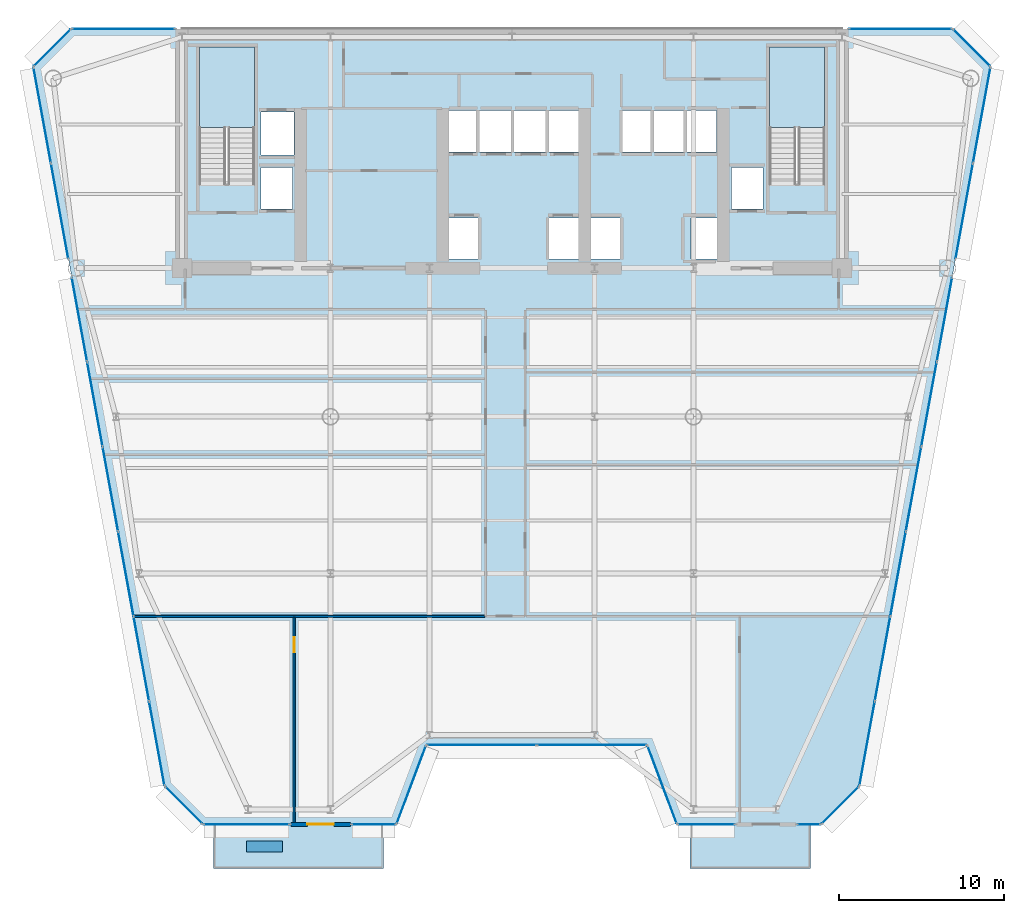
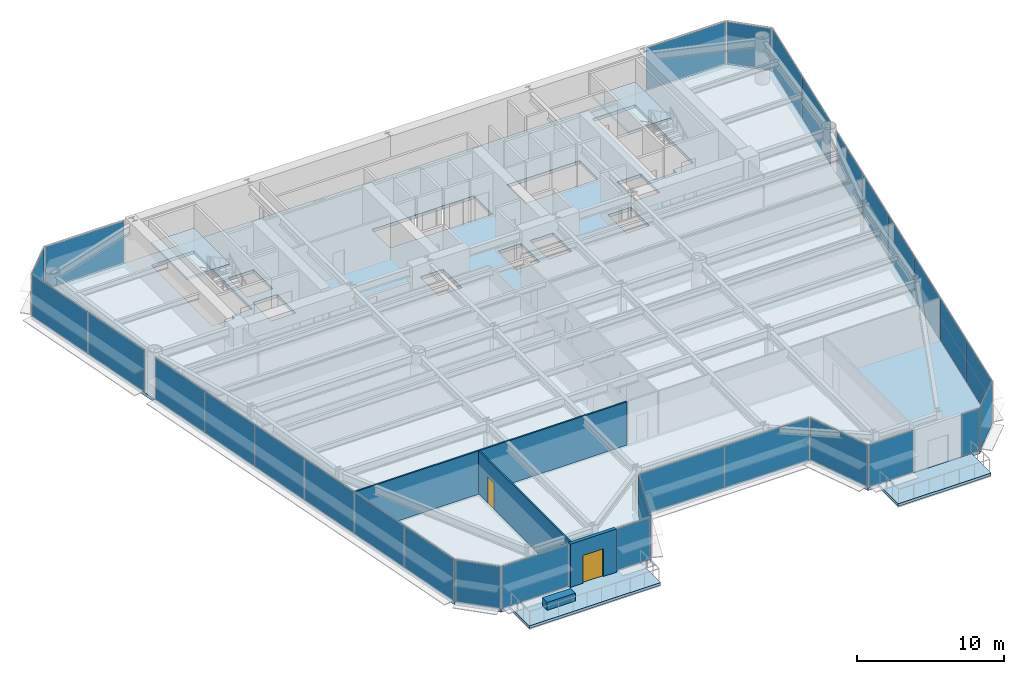
# One storey, part 10 of 17: 30 plates, 5 slabs, 4 walls, 2 doors, 2 openings, 19 elements without a shape of their own.
"""IFC4 building model written with IfcOpenShell, lengths in metres."""

from ifc_helpers import new_model, si_unit, direction, frame, frame_2d, origin, origin_2d, place, context, subcontext, project, spatial, polyline, rectangle, outline, extrude, source, transform, mapped, material, layer, layer_set, type_object, element, fill, aggregate, save


model = new_model("IFC4")

# Units and contexts
model_context = context("Model", 3, precision=1e-05, world=origin(), true_north=direction((0.0, 1.0)))
body_context = subcontext(model_context, "Body", "Model", "MODEL_VIEW")
ifc_project = project(units=[si_unit("LENGTHUNIT", "METRE"), si_unit("AREAUNIT", "SQUARE_METRE"), si_unit("VOLUMEUNIT", "CUBIC_METRE"), si_unit("PLANEANGLEUNIT", "RADIAN"), si_unit("MASSUNIT", "GRAM", prefix="KILO")], contexts=[model_context])

# Site, building, storey
site_placement = place(None, origin())
site = spatial("IfcSite", under=ifc_project, at=site_placement, CompositionType="ELEMENT")
building_placement = place(site_placement, origin())
building = spatial("IfcBuilding", under=site, at=building_placement, Name="Vaeldorn Concourse Tower", CompositionType="ELEMENT")
storey_placement = place(building_placement, frame((0.0, 0.0, 153.800048828125)))
storey = spatial("IfcBuildingStorey", under=building, at=storey_placement, Name="L39", CompositionType="ELEMENT", Elevation=153.800048828125)

# Slabs
ifc_material_1 = material(Name="Concrete C40/50", Category="concrete")
ifc_layer_1 = layer(ifc_material_1, 0.219970703125)
ifc_layer_set_1 = layer_set([ifc_layer_1], Name="Concrete C40/50")
slab_type_1 = type_object("IfcSlabType", Name="SL-SKYGARDEN", PredefinedType="FLOOR", material=ifc_layer_set_1)
slab_1_placement = place(storey_placement, frame((0.0, 0.0, -0.219970703125)))
element("IfcSlab", 1, at=slab_1_placement, inside=storey, type_object=slab_type_1, Name="Lower-Mid Sky Garden Terrace Slab 1", PredefinedType="FLOOR", context=body_context, shape_type="SweptSolid", body=[
    extrude(outline(polyline([(15.9150390625, 0.1201171875), (26.199951171875, 0.1201171875), (26.199951171875, 2.780029296875), (15.9150390625, 2.780029296875), (15.9150390625, 0.1201171875)])), origin(), (0.0, 0.0, 1.0), 0.219970703125),
])
slab_2_placement = place(storey_placement, frame((0.0, 0.0, -0.219970703125)))
element("IfcSlab", 2, at=slab_2_placement, inside=storey, type_object=slab_type_1, Name="Lower-Mid Sky Garden Terrace Slab 2", PredefinedType="FLOOR", context=body_context, shape_type="SweptSolid", body=[
    extrude(outline(polyline([(44.800048828125, 0.1201171875), (52.0849609375, 0.1201171875), (52.0849609375, 2.780029296875), (44.800048828125, 2.780029296875), (44.800048828125, 0.1201171875)])), origin(), (0.0, 0.0, 1.0), 0.219970703125),
])

# Stair, slab
ifc_material_2 = material(Name="Precast concrete C40/50", Category="concrete")
stair_type = type_object("IfcStairType", Name="STR-DOG-24x158", PredefinedType="HALF_TURN_STAIR", material=ifc_material_2)
stair_1_placement = place(storey_placement, origin())
stair_1 = element("IfcStair", 3, at=stair_1_placement, inside=storey, type_object=stair_type, Name="L39 West Core Exit Stair ST-1", PredefinedType="HALF_TURN_STAIR")
ifc_layer_2 = layer(ifc_material_1, 0.199951171875)
ifc_layer_set_2 = layer_set([ifc_layer_2], Name="Concrete C40/50")
slab_type_2 = type_object("IfcSlabType", Name="SL-STAIR-LANDING", PredefinedType="LANDING", material=ifc_layer_set_2)
slab_3_placement = place(storey_placement, frame((0.0, 0.0, 1.699951171875)))
slab_3 = element("IfcSlab", 4, at=slab_3_placement, type_object=slab_type_2, Name="ST-1 landing 1", PredefinedType="LANDING", context=body_context, shape_type="SweptSolid", body=[
    extrude(outline(polyline([(18.39990234375, 45.010009765625), (18.39990234375, 49.89990234375), (15.050048828125, 49.89990234375), (15.050048828125, 45.010009765625), (18.39990234375, 45.010009765625)])), origin(), (0.0, 0.0, 1.0), 0.199951171875),
])
aggregate(stair_1, [slab_3])

stair_2_placement = place(storey_placement, origin())
stair_2 = element("IfcStair", 5, at=stair_2_placement, inside=storey, type_object=stair_type, Name="L39 East Core Exit Stair ST-2", PredefinedType="HALF_TURN_STAIR")
slab_4_placement = place(storey_placement, frame((0.0, 0.0, 1.699951171875)))
slab_4 = element("IfcSlab", 6, at=slab_4_placement, type_object=slab_type_2, Name="ST-2 landing 1", PredefinedType="LANDING", context=body_context, shape_type="SweptSolid", body=[
    extrude(outline(polyline([(52.949951171875, 45.010009765625), (52.949951171875, 49.89990234375), (49.60009765625, 49.89990234375), (49.60009765625, 45.010009765625), (52.949951171875, 45.010009765625)])), origin(), (0.0, 0.0, 1.0), 0.199951171875),
])
aggregate(stair_2, [slab_4])

# Slab
ifc_layer_3 = layer(ifc_material_1, 0.260009765625)
ifc_layer_set_3 = layer_set([ifc_layer_3], Name="Concrete C40/50")
slab_type_3 = type_object("IfcSlabType", Name="SL-TRN-260", PredefinedType="FLOOR", material=ifc_layer_set_3)
slab_5_placement = place(storey_placement, frame((0.0, 0.0, -0.260009765625)))
element("IfcSlab", 7, at=slab_5_placement, inside=storey, type_object=slab_type_3, Name="Structural Floor Slab L39", PredefinedType="FLOOR", context=body_context, shape_type="SweptSolid", body=[
    extrude(outline(polyline([(15.2529296875, 2.800048828125), (27.0, 2.800048828125), (28.800048828125, 7.60009765625), (42.199951171875, 7.60009765625), (44.0, 2.800048828125), (52.7470703125, 2.800048828125), (55.047119140625, 5.10009765625), (63.0, 48.699951171875), (60.699951171875, 51.0), (7.300048828125, 51.0), (5.0, 48.699951171875), (12.952880859375, 5.10009765625), (15.2529296875, 2.800048828125)]), holes=[polyline([(18.39990234375, 42.0), (18.39990234375, 49.89990234375), (15.050048828125, 49.89990234375), (15.050048828125, 41.60009765625), (16.800048828125, 41.60009765625), (16.800048828125, 42.0), (18.39990234375, 42.0)]), polyline([(52.949951171875, 42.0), (52.949951171875, 49.89990234375), (49.60009765625, 49.89990234375), (49.60009765625, 41.60009765625), (51.35009765625, 41.60009765625), (51.35009765625, 42.0), (52.949951171875, 42.0)]), polyline([(30.14990234375, 37.050048828125), (31.949951171875, 37.050048828125), (31.949951171875, 39.550048828125), (30.14990234375, 39.550048828125), (30.14990234375, 37.050048828125)]), polyline([(36.25, 37.050048828125), (38.050048828125, 37.050048828125), (38.050048828125, 39.550048828125), (36.25, 39.550048828125), (36.25, 37.050048828125)]), polyline([(30.10009765625, 43.550048828125), (38.10009765625, 43.550048828125), (38.10009765625, 46.050048828125), (30.10009765625, 46.050048828125), (30.10009765625, 43.550048828125)]), polyline([(38.75, 37.050048828125), (40.550048828125, 37.050048828125), (40.550048828125, 39.550048828125), (38.75, 39.550048828125), (38.75, 37.050048828125)]), polyline([(44.85009765625, 37.050048828125), (46.64990234375, 37.050048828125), (46.64990234375, 39.550048828125), (44.85009765625, 39.550048828125), (44.85009765625, 37.050048828125)]), polyline([(40.699951171875, 43.550048828125), (46.39990234375, 43.550048828125), (46.39990234375, 46.050048828125), (40.699951171875, 46.050048828125), (40.699951171875, 43.550048828125)]), polyline([(18.800048828125, 43.35009765625), (20.800048828125, 43.35009765625), (20.800048828125, 45.949951171875), (18.800048828125, 45.949951171875), (18.800048828125, 43.35009765625)]), polyline([(18.800048828125, 40.10009765625), (20.699951171875, 40.10009765625), (20.699951171875, 42.60009765625), (18.800048828125, 42.60009765625), (18.800048828125, 40.10009765625)]), polyline([(47.300048828125, 40.10009765625), (49.199951171875, 40.10009765625), (49.199951171875, 42.60009765625), (47.300048828125, 42.60009765625), (47.300048828125, 40.10009765625)])]), origin(), (0.0, 0.0, 1.0), 0.260009765625),
])

# Curtain wall, plate
ifc_material_3 = material(Name="Anodised Bronze Aluminium", Category="aluminium")
ifc_layer_4 = layer(ifc_material_3, 0.2099609375)
ifc_layer_set_4 = layer_set([ifc_layer_4], Name="Anodised Bronze Aluminium")
curtain_wall_type_1 = type_object("IfcCurtainWallType", Name="CW-SYS-06", PredefinedType="NOTDEFINED", material=ifc_layer_set_4)
curtain_wall_1_placement = place(storey_placement, origin())
curtain_wall_1 = element("IfcCurtainWall", 8, at=curtain_wall_1_placement, inside=storey, type_object=curtain_wall_type_1, Name="Unitised Curtain Wall CW-L39-E01-1", PredefinedType="NOTDEFINED")
ifc_material_4 = material(Name="Bronze Tinted Low-E Insulated Glass", Category="glass")
ifc_layer_5 = layer(ifc_material_4, 0.031982421875)
ifc_layer_set_5 = layer_set([ifc_layer_5], Name="Bronze Tinted Low-E Insulated Glass")
plate_type = type_object("IfcPlateType", Name="CWP-VISION-32", PredefinedType="CURTAIN_PANEL", material=ifc_layer_set_5)
shared_shape_1 = source(origin(), body_context, "Body", "SweptSolid", [
    extrude(rectangle(XDim=5.177001953125, YDim=0.031982421875, at=origin_2d()), origin(), (0.0, 0.0, 1.0), 3.449951171875),
])
plate_1_placement = place(storey_placement, frame((17.906494140625, 2.800048828125, 0.06494140625), z_axis=(0.0, 0.0, 1.0), x_axis=(1.0, 0.0, 0.0)))
plate_1 = element("IfcPlate", 9, at=plate_1_placement, type_object=plate_type, Name="CW-06 panel 1.1", PredefinedType="CURTAIN_PANEL", context=body_context, shape_type="MappedRepresentation", body=[
    mapped(shared_shape_1, transform((0.0, 0.0, 0.0), scale=1.0)),
])
aggregate(curtain_wall_1, [plate_1])

curtain_wall_2_placement = place(storey_placement, origin())
curtain_wall_2 = element("IfcCurtainWall", 10, at=curtain_wall_2_placement, inside=storey, type_object=curtain_wall_type_1, Name="Unitised Curtain Wall CW-L39-E01-2", PredefinedType="NOTDEFINED")
shared_shape_2 = source(origin(), body_context, "Body", "SweptSolid", [
    extrude(rectangle(XDim=2.6298828125, YDim=0.031982421875, at=origin_2d()), origin(), (0.0, 0.0, 1.0), 3.449951171875),
])
plate_2_placement = place(storey_placement, frame((25.6201171875, 2.800048828125, 0.06494140625), z_axis=(0.0, 0.0, 1.0), x_axis=(1.0, 0.0, 0.0)))
plate_2 = element("IfcPlate", 11, at=plate_2_placement, type_object=plate_type, Name="CW-06 panel 1.1", PredefinedType="CURTAIN_PANEL", context=body_context, shape_type="MappedRepresentation", body=[
    mapped(shared_shape_2, transform((0.0, 0.0, 0.0), scale=1.0)),
])
aggregate(curtain_wall_2, [plate_2])

curtain_wall_3_placement = place(storey_placement, origin())
curtain_wall_3 = element("IfcCurtainWall", 12, at=curtain_wall_3_placement, inside=storey, type_object=curtain_wall_type_1, Name="Unitised Curtain Wall CW-L39-E02-1", PredefinedType="NOTDEFINED")
shared_shape_3 = source(origin(), body_context, "Body", "SweptSolid", [
    extrude(rectangle(XDim=4.996337890625, YDim=0.031982421875, at=origin_2d()), origin(), (0.0, 0.0, 1.0), 3.449951171875),
])
plate_3_placement = place(storey_placement, frame((27.89990234375, 5.199951171875, 0.06494140625), z_axis=(0.0, 0.0, 1.0), x_axis=(0.351123441595, 0.936329177566, 0.0)))
plate_3 = element("IfcPlate", 13, at=plate_3_placement, type_object=plate_type, Name="CW-06 panel 1.1", PredefinedType="CURTAIN_PANEL", context=body_context, shape_type="MappedRepresentation", body=[
    mapped(shared_shape_3, transform((0.0, 0.0, 0.0), scale=1.0)),
])
aggregate(curtain_wall_3, [plate_3])

curtain_wall_4_placement = place(storey_placement, origin())
curtain_wall_4 = element("IfcCurtainWall", 14, at=curtain_wall_4_placement, inside=storey, type_object=curtain_wall_type_1, Name="Unitised Curtain Wall CW-L39-E04-1", PredefinedType="NOTDEFINED")
plate_4_placement = place(storey_placement, frame((43.10009765625, 5.199951171875, 0.06494140625), z_axis=(0.0, 0.0, 1.0), x_axis=(0.351123441595, -0.936329177566, 0.0)))
plate_4 = element("IfcPlate", 15, at=plate_4_placement, type_object=plate_type, Name="CW-06 panel 1.1", PredefinedType="CURTAIN_PANEL", context=body_context, shape_type="MappedRepresentation", body=[
    mapped(shared_shape_3, transform((0.0, 0.0, 0.0), scale=1.0)),
])
aggregate(curtain_wall_4, [plate_4])

# Curtain wall, plates
curtain_wall_5_placement = place(storey_placement, origin())
curtain_wall_5 = element("IfcCurtainWall", 16, at=curtain_wall_5_placement, inside=storey, type_object=curtain_wall_type_1, Name="Unitised Curtain Wall CW-L39-E03-1", PredefinedType="NOTDEFINED")
shared_shape_4 = source(origin(), body_context, "Body", "SweptSolid", [
    extrude(rectangle(XDim=6.6025390625, YDim=0.031982421875, at=origin_2d()), origin(), (0.0, 0.0, 1.0), 3.449951171875),
])
plate_5_placement = place(storey_placement, frame((32.166259765625, 7.60009765625, 0.06494140625), z_axis=(0.0, 0.0, 1.0), x_axis=(1.0, 0.0, 0.0)))
plate_5 = element("IfcPlate", 17, at=plate_5_placement, type_object=plate_type, Name="CW-06 panel 1.1", PredefinedType="CURTAIN_PANEL", context=body_context, shape_type="MappedRepresentation", body=[
    mapped(shared_shape_4, transform((0.0, 0.0, 0.0), scale=1.0)),
])
plate_6_placement = place(storey_placement, frame((38.833740234375, 7.60009765625, 0.06494140625), z_axis=(0.0, 0.0, 1.0), x_axis=(1.0, 0.0, 0.0)))
plate_6 = element("IfcPlate", 18, at=plate_6_placement, type_object=plate_type, Name="CW-06 panel 2.1", PredefinedType="CURTAIN_PANEL", context=body_context, shape_type="MappedRepresentation", body=[
    mapped(shared_shape_4, transform((0.0, 0.0, 0.0), scale=1.0)),
])
aggregate(curtain_wall_5, [plate_5, plate_6])

# Curtain wall, plate
curtain_wall_6_placement = place(storey_placement, origin())
curtain_wall_6 = element("IfcCurtainWall", 19, at=curtain_wall_6_placement, inside=storey, type_object=curtain_wall_type_1, Name="Unitised Curtain Wall CW-L39-E05-1", PredefinedType="NOTDEFINED")
shared_shape_5 = source(origin(), body_context, "Body", "SweptSolid", [
    extrude(rectangle(XDim=3.429931640625, YDim=0.031982421875, at=origin_2d()), origin(), (0.0, 0.0, 1.0), 3.449951171875),
])
plate_7_placement = place(storey_placement, frame((45.780029296875, 2.800048828125, 0.06494140625), z_axis=(0.0, 0.0, 1.0), x_axis=(1.0, 0.0, 0.0)))
plate_7 = element("IfcPlate", 20, at=plate_7_placement, type_object=plate_type, Name="CW-06 panel 1.1", PredefinedType="CURTAIN_PANEL", context=body_context, shape_type="MappedRepresentation", body=[
    mapped(shared_shape_5, transform((0.0, 0.0, 0.0), scale=1.0)),
])
aggregate(curtain_wall_6, [plate_7])

curtain_wall_7_placement = place(storey_placement, origin())
curtain_wall_7 = element("IfcCurtainWall", 21, at=curtain_wall_7_placement, inside=storey, type_object=curtain_wall_type_1, Name="Unitised Curtain Wall CW-L39-E05-2", PredefinedType="NOTDEFINED")
shared_shape_6 = source(origin(), body_context, "Body", "SweptSolid", [
    extrude(rectangle(XDim=1.376953125, YDim=0.031982421875, at=origin_2d()), origin(), (0.0, 0.0, 1.0), 3.449951171875),
])
plate_8_placement = place(storey_placement, frame((51.993408203125, 2.800048828125, 0.06494140625), z_axis=(0.0, 0.0, 1.0), x_axis=(1.0, 0.0, 0.0)))
plate_8 = element("IfcPlate", 22, at=plate_8_placement, type_object=plate_type, Name="CW-06 panel 1.1", PredefinedType="CURTAIN_PANEL", context=body_context, shape_type="MappedRepresentation", body=[
    mapped(shared_shape_6, transform((0.0, 0.0, 0.0), scale=1.0)),
])
aggregate(curtain_wall_7, [plate_8])

curtain_wall_8_placement = place(storey_placement, origin())
curtain_wall_8 = element("IfcCurtainWall", 23, at=curtain_wall_8_placement, inside=storey, type_object=curtain_wall_type_1, Name="Unitised Curtain Wall CW-L39-E06-1", PredefinedType="NOTDEFINED")
shared_shape_7 = source(origin(), body_context, "Body", "SweptSolid", [
    extrude(rectangle(XDim=3.122802734375, YDim=0.031982421875, at=origin_2d()), origin(), (0.0, 0.0, 1.0), 3.449951171875),
])
plate_9_placement = place(storey_placement, frame((53.89697265625, 3.949951171875, 0.06494140625), z_axis=(0.0, 0.0, 1.0), x_axis=(0.707106781187, 0.707106781187, 0.0)))
plate_9 = element("IfcPlate", 24, at=plate_9_placement, type_object=plate_type, Name="CW-06 panel 1.1", PredefinedType="CURTAIN_PANEL", context=body_context, shape_type="MappedRepresentation", body=[
    mapped(shared_shape_7, transform((0.0, 0.0, 0.0), scale=1.0)),
])
aggregate(curtain_wall_8, [plate_9])

ifc_layer_6 = layer(ifc_material_3, 0.18994140625)
ifc_layer_set_6 = layer_set([ifc_layer_6], Name="Anodised Bronze Aluminium")
curtain_wall_type_2 = type_object("IfcCurtainWallType", Name="CW-SYS-03", PredefinedType="NOTDEFINED", material=ifc_layer_set_6)
curtain_wall_9_placement = place(storey_placement, origin())
curtain_wall_9 = element("IfcCurtainWall", 25, at=curtain_wall_9_placement, inside=storey, type_object=curtain_wall_type_2, Name="Unitised Curtain Wall CW-L39-E08-1", PredefinedType="NOTDEFINED")
plate_10_placement = place(storey_placement, frame((61.85009765625, 49.85009765625, 0.06494140625), z_axis=(0.0, 0.0, 1.0), x_axis=(-0.707106781187, 0.707106781187, 0.0)))
plate_10 = element("IfcPlate", 26, at=plate_10_placement, type_object=plate_type, Name="CW-03 panel 1.1", PredefinedType="CURTAIN_PANEL", context=body_context, shape_type="MappedRepresentation", body=[
    mapped(shared_shape_7, transform((0.0, 0.0, 0.0), scale=1.0)),
])
aggregate(curtain_wall_9, [plate_10])

curtain_wall_10_placement = place(storey_placement, origin())
curtain_wall_10 = element("IfcCurtainWall", 27, at=curtain_wall_10_placement, inside=storey, type_object=curtain_wall_type_2, Name="Unitised Curtain Wall CW-L39-E10-1", PredefinedType="NOTDEFINED")
plate_11_placement = place(storey_placement, frame((6.14990234375, 49.85009765625, 0.06494140625), z_axis=(0.0, 0.0, 1.0), x_axis=(-0.707106781187, -0.707106781187, 0.0)))
plate_11 = element("IfcPlate", 28, at=plate_11_placement, type_object=plate_type, Name="CW-03 panel 1.1", PredefinedType="CURTAIN_PANEL", context=body_context, shape_type="MappedRepresentation", body=[
    mapped(shared_shape_7, transform((0.0, 0.0, 0.0), scale=1.0)),
])
aggregate(curtain_wall_10, [plate_11])

curtain_wall_11_placement = place(storey_placement, origin())
curtain_wall_11 = element("IfcCurtainWall", 29, at=curtain_wall_11_placement, inside=storey, type_object=curtain_wall_type_1, Name="Unitised Curtain Wall CW-L39-E12-1", PredefinedType="NOTDEFINED")
plate_12_placement = place(storey_placement, frame((14.10302734375, 3.949951171875, 0.06494140625), z_axis=(0.0, 0.0, 1.0), x_axis=(0.707106781187, -0.707106781187, 0.0)))
plate_12 = element("IfcPlate", 30, at=plate_12_placement, type_object=plate_type, Name="CW-06 panel 1.1", PredefinedType="CURTAIN_PANEL", context=body_context, shape_type="MappedRepresentation", body=[
    mapped(shared_shape_7, transform((0.0, 0.0, 0.0), scale=1.0)),
])
aggregate(curtain_wall_11, [plate_12])

# Curtain wall, plates
curtain_wall_12_placement = place(storey_placement, origin())
curtain_wall_12 = element("IfcCurtainWall", 31, at=curtain_wall_12_placement, inside=storey, type_object=curtain_wall_type_1, Name="Unitised Curtain Wall CW-L39-E07-1", PredefinedType="NOTDEFINED")
shared_shape_8 = source(origin(), body_context, "Body", "SweptSolid", [
    extrude(rectangle(XDim=5.134521484375, YDim=0.031982421875, at=origin_2d()), origin(), (0.0, 0.0, 1.0), 3.449951171875),
])
plate_13_placement = place(storey_placement, frame((55.519287109375, 7.689453125, 0.06494140625), z_axis=(0.0, 0.0, 1.0), x_axis=(0.179446349793, 0.983767760981, 0.0)))
plate_13 = element("IfcPlate", 32, at=plate_13_placement, type_object=plate_type, Name="CW-06 panel 1.1", PredefinedType="CURTAIN_PANEL", context=body_context, shape_type="MappedRepresentation", body=[
    mapped(shared_shape_8, transform((0.0, 0.0, 0.0), scale=1.0)),
])
plate_14_placement = place(storey_placement, frame((60.207763671875, 33.392578125, 0.06494140625), z_axis=(0.0, 0.0, 1.0), x_axis=(0.179446349793, 0.983767760981, 0.0)))
plate_14 = element("IfcPlate", 33, at=plate_14_placement, type_object=plate_type, Name="CW-06 panel 6.1", PredefinedType="CURTAIN_PANEL", context=body_context, shape_type="MappedRepresentation", body=[
    mapped(shared_shape_8, transform((0.0, 0.0, 0.0), scale=1.0)),
])

curtain_wall_13_placement = place(storey_placement, origin())
curtain_wall_13 = element("IfcCurtainWall", 34, at=curtain_wall_13_placement, inside=storey, type_object=curtain_wall_type_1, Name="Unitised Curtain Wall CW-L39-E11-2", PredefinedType="NOTDEFINED")
plate_15_placement = place(storey_placement, frame((7.792236328125, 33.392578125, 0.06494140625), z_axis=(0.0, 0.0, 1.0), x_axis=(0.179446349793, -0.983767760981, 0.0)))
plate_15 = element("IfcPlate", 35, at=plate_15_placement, type_object=plate_type, Name="CW-06 panel 1.1", PredefinedType="CURTAIN_PANEL", context=body_context, shape_type="MappedRepresentation", body=[
    mapped(shared_shape_8, transform((0.0, 0.0, 0.0), scale=1.0)),
])
plate_16_placement = place(storey_placement, frame((12.480712890625, 7.689453125, 0.06494140625), z_axis=(0.0, 0.0, 1.0), x_axis=(0.179446349793, -0.983767760981, 0.0)))
plate_16 = element("IfcPlate", 36, at=plate_16_placement, type_object=plate_type, Name="CW-06 panel 6.1", PredefinedType="CURTAIN_PANEL", context=body_context, shape_type="MappedRepresentation", body=[
    mapped(shared_shape_8, transform((0.0, 0.0, 0.0), scale=1.0)),
])

# Plate
shared_shape_9 = source(origin(), body_context, "Body", "SweptSolid", [
    extrude(rectangle(XDim=5.1669921875, YDim=0.031982421875, at=origin_2d()), origin(), (0.0, 0.0, 1.0), 3.449951171875),
])
plate_17_placement = place(storey_placement, frame((56.455322265625, 12.820556640625, 0.06494140625), z_axis=(0.0, 0.0, 1.0), x_axis=(0.179446349793, 0.983767760981, 0.0)))
plate_17 = element("IfcPlate", 37, at=plate_17_placement, type_object=plate_type, Name="CW-06 panel 2.1", PredefinedType="CURTAIN_PANEL", context=body_context, shape_type="MappedRepresentation", body=[
    mapped(shared_shape_9, transform((0.0, 0.0, 0.0), scale=1.0)),
])

plate_18_placement = place(storey_placement, frame((57.39404296875, 17.967529296875, 0.06494140625), z_axis=(0.0, 0.0, 1.0), x_axis=(0.179446349793, 0.983767760981, 0.0)))
plate_18 = element("IfcPlate", 38, at=plate_18_placement, type_object=plate_type, Name="CW-06 panel 3.1", PredefinedType="CURTAIN_PANEL", context=body_context, shape_type="MappedRepresentation", body=[
    mapped(shared_shape_9, transform((0.0, 0.0, 0.0), scale=1.0)),
])

plate_19_placement = place(storey_placement, frame((58.3330078125, 23.114501953125, 0.06494140625), z_axis=(0.0, 0.0, 1.0), x_axis=(0.179446349793, 0.983767760981, 0.0)))
plate_19 = element("IfcPlate", 39, at=plate_19_placement, type_object=plate_type, Name="CW-06 panel 4.1", PredefinedType="CURTAIN_PANEL", context=body_context, shape_type="MappedRepresentation", body=[
    mapped(shared_shape_9, transform((0.0, 0.0, 0.0), scale=1.0)),
])

plate_20_placement = place(storey_placement, frame((59.271728515625, 28.261474609375, 0.06494140625), z_axis=(0.0, 0.0, 1.0), x_axis=(0.179446349793, 0.983767760981, 0.0)))
plate_20 = element("IfcPlate", 40, at=plate_20_placement, type_object=plate_type, Name="CW-06 panel 5.1", PredefinedType="CURTAIN_PANEL", context=body_context, shape_type="MappedRepresentation", body=[
    mapped(shared_shape_9, transform((0.0, 0.0, 0.0), scale=1.0)),
])

aggregate(curtain_wall_12, [plate_13, plate_17, plate_18, plate_19, plate_20, plate_14])

plate_21_placement = place(storey_placement, frame((8.728271484375, 28.261474609375, 0.06494140625), z_axis=(0.0, 0.0, 1.0), x_axis=(0.179446349793, -0.983767760981, 0.0)))
plate_21 = element("IfcPlate", 41, at=plate_21_placement, type_object=plate_type, Name="CW-06 panel 2.1", PredefinedType="CURTAIN_PANEL", context=body_context, shape_type="MappedRepresentation", body=[
    mapped(shared_shape_9, transform((0.0, 0.0, 0.0), scale=1.0)),
])

plate_22_placement = place(storey_placement, frame((9.6669921875, 23.114501953125, 0.06494140625), z_axis=(0.0, 0.0, 1.0), x_axis=(0.179446349793, -0.983767760981, 0.0)))
plate_22 = element("IfcPlate", 42, at=plate_22_placement, type_object=plate_type, Name="CW-06 panel 3.1", PredefinedType="CURTAIN_PANEL", context=body_context, shape_type="MappedRepresentation", body=[
    mapped(shared_shape_9, transform((0.0, 0.0, 0.0), scale=1.0)),
])

plate_23_placement = place(storey_placement, frame((10.60595703125, 17.967529296875, 0.06494140625), z_axis=(0.0, 0.0, 1.0), x_axis=(0.179446349793, -0.983767760981, 0.0)))
plate_23 = element("IfcPlate", 43, at=plate_23_placement, type_object=plate_type, Name="CW-06 panel 4.1", PredefinedType="CURTAIN_PANEL", context=body_context, shape_type="MappedRepresentation", body=[
    mapped(shared_shape_9, transform((0.0, 0.0, 0.0), scale=1.0)),
])

plate_24_placement = place(storey_placement, frame((11.544677734375, 12.820556640625, 0.06494140625), z_axis=(0.0, 0.0, 1.0), x_axis=(0.179446349793, -0.983767760981, 0.0)))
plate_24 = element("IfcPlate", 44, at=plate_24_placement, type_object=plate_type, Name="CW-06 panel 5.1", PredefinedType="CURTAIN_PANEL", context=body_context, shape_type="MappedRepresentation", body=[
    mapped(shared_shape_9, transform((0.0, 0.0, 0.0), scale=1.0)),
])

aggregate(curtain_wall_13, [plate_15, plate_21, plate_22, plate_23, plate_24, plate_16])

# Curtain wall, plates
curtain_wall_14_placement = place(storey_placement, origin())
curtain_wall_14 = element("IfcCurtainWall", 45, at=curtain_wall_14_placement, inside=storey, type_object=curtain_wall_type_1, Name="Unitised Curtain Wall CW-L39-E07-2", PredefinedType="NOTDEFINED")
shared_shape_10 = source(origin(), body_context, "Body", "SweptSolid", [
    extrude(rectangle(XDim=5.83984375, YDim=0.031982421875, at=origin_2d()), origin(), (0.0, 0.0, 1.0), 3.449951171875),
])
plate_25_placement = place(storey_placement, frame((61.40478515625, 39.95458984375, 0.06494140625), z_axis=(0.0, 0.0, 1.0), x_axis=(0.179447879415, 0.983767481966, 0.0)))
plate_25 = element("IfcPlate", 46, at=plate_25_placement, type_object=plate_type, Name="CW-06 panel 1.1", PredefinedType="CURTAIN_PANEL", context=body_context, shape_type="MappedRepresentation", body=[
    mapped(shared_shape_10, transform((0.0, 0.0, 0.0), scale=1.0)),
])
plate_26_placement = place(storey_placement, frame((62.46435546875, 45.763427734375, 0.06494140625), z_axis=(0.0, 0.0, 1.0), x_axis=(0.179447879415, 0.983767481966, 0.0)))
plate_26 = element("IfcPlate", 47, at=plate_26_placement, type_object=plate_type, Name="CW-06 panel 2.1", PredefinedType="CURTAIN_PANEL", context=body_context, shape_type="MappedRepresentation", body=[
    mapped(shared_shape_10, transform((0.0, 0.0, 0.0), scale=1.0)),
])
aggregate(curtain_wall_14, [plate_25, plate_26])

curtain_wall_15_placement = place(storey_placement, origin())
curtain_wall_15 = element("IfcCurtainWall", 48, at=curtain_wall_15_placement, inside=storey, type_object=curtain_wall_type_1, Name="Unitised Curtain Wall CW-L39-E11-1", PredefinedType="NOTDEFINED")
plate_27_placement = place(storey_placement, frame((5.53564453125, 45.763427734375, 0.06494140625), z_axis=(0.0, 0.0, 1.0), x_axis=(0.179447879415, -0.983767481966, 0.0)))
plate_27 = element("IfcPlate", 49, at=plate_27_placement, type_object=plate_type, Name="CW-06 panel 1.1", PredefinedType="CURTAIN_PANEL", context=body_context, shape_type="MappedRepresentation", body=[
    mapped(shared_shape_10, transform((0.0, 0.0, 0.0), scale=1.0)),
])
plate_28_placement = place(storey_placement, frame((6.59521484375, 39.95458984375, 0.06494140625), z_axis=(0.0, 0.0, 1.0), x_axis=(0.179447879415, -0.983767481966, 0.0)))
plate_28 = element("IfcPlate", 50, at=plate_28_placement, type_object=plate_type, Name="CW-06 panel 2.1", PredefinedType="CURTAIN_PANEL", context=body_context, shape_type="MappedRepresentation", body=[
    mapped(shared_shape_10, transform((0.0, 0.0, 0.0), scale=1.0)),
])
aggregate(curtain_wall_15, [plate_27, plate_28])

# Curtain wall, plate
curtain_wall_16_placement = place(storey_placement, origin())
curtain_wall_16 = element("IfcCurtainWall", 51, at=curtain_wall_16_placement, inside=storey, type_object=curtain_wall_type_2, Name="Unitised Curtain Wall CW-L39-E09-1", PredefinedType="NOTDEFINED")
shared_shape_11 = source(origin(), body_context, "Body", "SweptSolid", [
    extrude(rectangle(XDim=6.199951171875, YDim=0.031982421875, at=origin_2d()), origin(), (0.0, 0.0, 1.0), 3.449951171875),
])
plate_29_placement = place(storey_placement, frame((57.534912109375, 51.0, 0.06494140625), z_axis=(0.0, 0.0, 1.0), x_axis=(-1.0, 0.0, 0.0)))
plate_29 = element("IfcPlate", 52, at=plate_29_placement, type_object=plate_type, Name="CW-03 panel 1.1", PredefinedType="CURTAIN_PANEL", context=body_context, shape_type="MappedRepresentation", body=[
    mapped(shared_shape_11, transform((0.0, 0.0, 0.0), scale=1.0)),
])
aggregate(curtain_wall_16, [plate_29])

curtain_wall_17_placement = place(storey_placement, origin())
curtain_wall_17 = element("IfcCurtainWall", 53, at=curtain_wall_17_placement, inside=storey, type_object=curtain_wall_type_2, Name="Unitised Curtain Wall CW-L39-E09-2", PredefinedType="NOTDEFINED")
plate_30_placement = place(storey_placement, frame((10.465087890625, 51.0, 0.06494140625), z_axis=(0.0, 0.0, 1.0), x_axis=(-1.0, 0.0, 0.0)))
plate_30 = element("IfcPlate", 54, at=plate_30_placement, type_object=plate_type, Name="CW-03 panel 1.1", PredefinedType="CURTAIN_PANEL", context=body_context, shape_type="MappedRepresentation", body=[
    mapped(shared_shape_11, transform((0.0, 0.0, 0.0), scale=1.0)),
])
aggregate(curtain_wall_17, [plate_30])

# Wall, opening, door
ifc_layer_7 = layer(ifc_material_2, 0.25)
ifc_layer_set_7 = layer_set([ifc_layer_7], Name="Precast concrete C40/50")
wall_type_1 = type_object("IfcWallType", Name="WL-EXT-TERRACE-250", PredefinedType="STANDARD", material=ifc_layer_set_7)
wall_1_placement = place(storey_placement, frame((24.199951171875, 2.800048828125, 0.0), z_axis=(0.0, 0.0, 1.0), x_axis=(-1.0, 0.0, 0.0)))
wall_1 = element("IfcWall", 55, at=wall_1_placement, inside=storey, type_object=wall_type_1, Name="Sawtooth Sky Garden Portal Wall L39-1", PredefinedType="STANDARD", context=body_context, shape_type="SweptSolid", body=[
    extrude(rectangle(XDim=3.599853515625, YDim=0.25, at=frame_2d((1.7998046875, 0.0))), origin(), (0.0, 0.0, 1.0), 3.579833984375),
])
opening_1_placement = place(wall_1_placement, frame((1.0, 0.0, 0.0)))
opening_1 = element("IfcOpeningElement", 56, at=opening_1_placement, cuts=wall_1, Name="Opening DG-1", PredefinedType="OPENING", context=body_context, shape_type="SweptSolid", body=[
    extrude(rectangle(XDim=1.60009765625, YDim=2.300048828125, at=frame_2d((0.800048828125, 1.14990234375))), frame((0.0, 0.135009765625, 0.0), z_axis=(0.0, -1.0, 0.0), x_axis=(1.0, 0.0, 0.0)), (0.0, 0.0, 1.0), 0.27001953125),
])
door_type_1 = type_object("IfcDoorType", Name="DR-EXTERNAL-1600", OperationType="DOUBLE_DOOR_SINGLE_SWING", PredefinedType="DOOR", material=ifc_material_3)
shared_shape_12 = source(origin(), body_context, "Body", "SweptSolid", [
    extrude(rectangle(XDim=1.60009765625, YDim=2.300048828125, at=frame_2d((0.800048828125, 1.14990234375))), frame((0.0, 0.02490234375, 0.0), z_axis=(0.0, -1.0, 0.0), x_axis=(1.0, 0.0, 0.0)), (0.0, 0.0, 1.0), 0.050048828125),
])
door_1_placement = place(opening_1_placement, origin())
door_1 = element("IfcDoor", 57, at=door_1_placement, inside=storey, type_object=door_type_1, Name="Sawtooth Sky Garden Terrace Door L39-1", OperationType="DOUBLE_DOOR_SINGLE_SWING", OverallHeight=2.300048828125, OverallWidth=1.60009765625, PredefinedType="DOOR", context=body_context, shape_type="MappedRepresentation", body=[
    mapped(shared_shape_12, transform((0.0, 0.0, 0.0), scale=1.0)),
])
fill(opening_1, door_1)

# Wall
ifc_material_5 = material(Name="Gypsum Board Partition", Category="gypsum")
ifc_layer_8 = layer(ifc_material_5, 0.1201171875)
ifc_layer_set_8 = layer_set([ifc_layer_8], Name="Gypsum Board Partition")
wall_type_2 = type_object("IfcWallType", Name="WL-PART-120", PredefinedType="PARTITIONING", material=ifc_layer_set_8)
wall_2_placement = place(storey_placement, frame((11.1142578125, 15.39990234375, 0.0), z_axis=(0.0, 0.0, 1.0), x_axis=(1.0, 0.0, 0.0)))
element("IfcWall", 58, at=wall_2_placement, inside=storey, type_object=wall_type_2, Name="Interior Wall PW-L39-Z3SWL", PredefinedType="PARTITIONING", context=body_context, shape_type="SweptSolid", body=[
    extrude(rectangle(XDim=21.225830078125, YDim=0.1201171875, at=frame_2d((10.61279296875, 0.0))), origin(), (0.0, 0.0, 1.0), 3.579833984375),
])

# Wall, opening, door
wall_3_placement = place(storey_placement, frame((20.800048828125, 2.840087890625, 0.0), z_axis=(0.0, 0.0, 1.0), x_axis=(0.0, 1.0, 0.0)))
wall_3 = element("IfcWall", 59, at=wall_3_placement, inside=storey, type_object=wall_type_2, Name="Interior Wall PW-L39-Z3SX1", PredefinedType="PARTITIONING", context=body_context, shape_type="SweptSolid", body=[
    extrude(rectangle(XDim=12.5, YDim=0.1201171875, at=frame_2d((6.25, 0.0))), origin(), (0.0, 0.0, 1.0), 3.579833984375),
])
opening_2_placement = place(wall_3_placement, frame((10.39990234375, 0.0, 0.0)))
opening_2 = element("IfcOpeningElement", 60, at=opening_2_placement, cuts=wall_3, Name="Opening D-03", PredefinedType="OPENING", context=body_context, shape_type="SweptSolid", body=[
    extrude(rectangle(XDim=0.89990234375, YDim=2.14990234375, at=frame_2d((0.449951171875, 1.074951171875))), frame((0.0, 0.070068359375, 0.0), z_axis=(0.0, -1.0, 0.0), x_axis=(1.0, 0.0, 0.0)), (0.0, 0.0, 1.0), 0.14013671875),
])
ifc_material_6 = material(Name="Acoustic Bronze-Framed Glass Door", Category="glass")
door_type_2 = type_object("IfcDoorType", Name="DR-INT-900", OperationType="NOTDEFINED", PredefinedType="DOOR", material=ifc_material_6)
shared_shape_13 = source(origin(), body_context, "Body", "SweptSolid", [
    extrude(rectangle(XDim=0.89990234375, YDim=2.14990234375, at=frame_2d((0.449951171875, 1.074951171875))), frame((0.0, 0.02490234375, 0.0), z_axis=(0.0, -1.0, 0.0), x_axis=(1.0, 0.0, 0.0)), (0.0, 0.0, 1.0), 0.050048828125),
])
door_2_placement = place(opening_2_placement, origin())
door_2 = element("IfcDoor", 61, at=door_2_placement, inside=storey, type_object=door_type_2, Name="Interior Door DR-L39-Z3SX1", OperationType="SINGLE_SWING_RIGHT", OverallHeight=2.14990234375, OverallWidth=0.89990234375, PredefinedType="DOOR", context=body_context, shape_type="MappedRepresentation", body=[
    mapped(shared_shape_13, transform((0.0, 0.0, 0.0), scale=1.0)),
])
fill(opening_2, door_2)

# Wall
ifc_layer_9 = layer(ifc_material_3, 0.64990234375)
ifc_layer_set_9 = layer_set([ifc_layer_9], Name="Anodised Bronze Aluminium")
wall_type_3 = type_object("IfcWallType", Name="WL-PLANTER-BRONZE", PredefinedType="PARAPET", material=ifc_layer_set_9)
wall_4_placement = place(storey_placement, frame((17.89990234375, 1.449951171875, 0.0), z_axis=(0.0, 0.0, 1.0), x_axis=(1.0, 0.0, 0.0)))
element("IfcWall", 62, at=wall_4_placement, inside=storey, type_object=wall_type_3, Name="Sky Garden Bronze Planter Box L39-1", PredefinedType="PARAPET", context=body_context, shape_type="SweptSolid", body=[
    extrude(rectangle(XDim=2.2001953125, YDim=0.64990234375, at=frame_2d((1.10009765625, 0.0))), origin(), (0.0, 0.0, 1.0), 0.64990234375),
])

save(model, "model.ifc")
